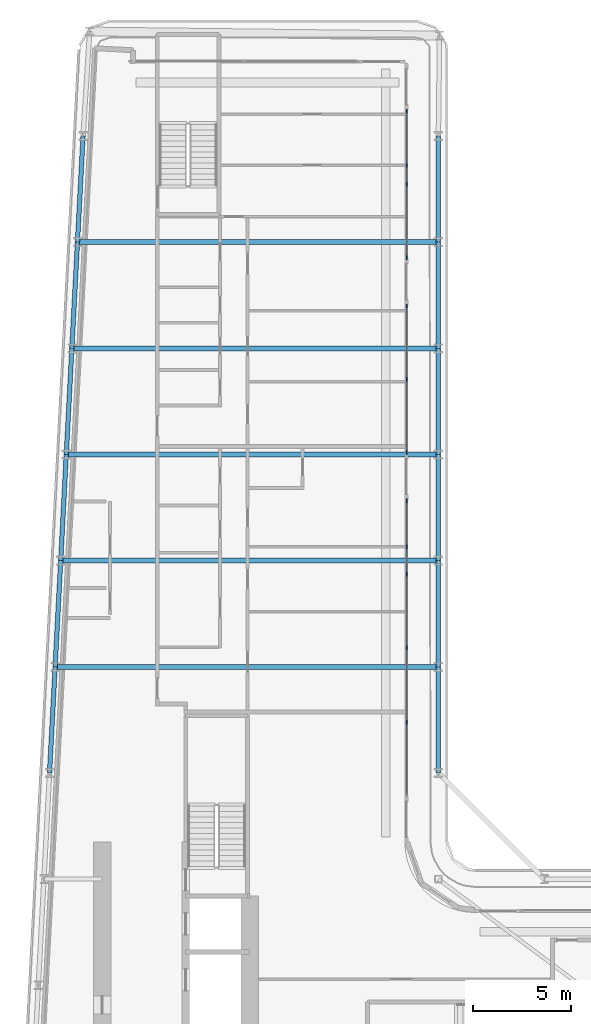
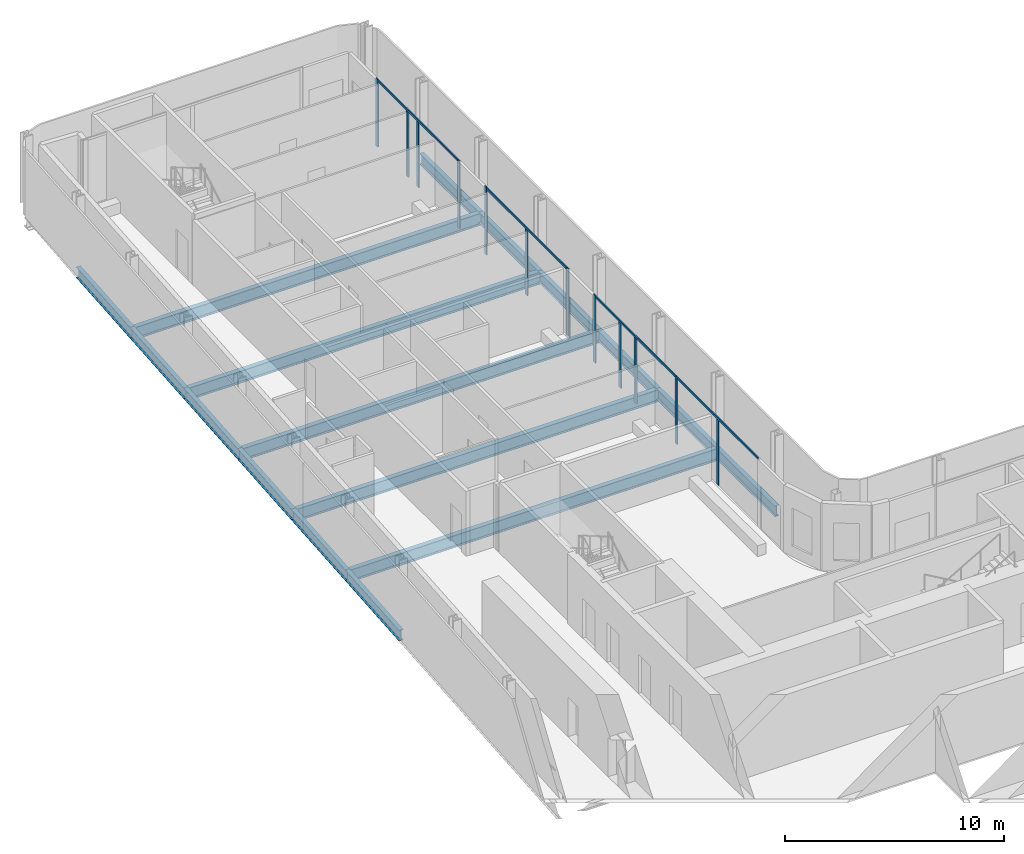
# One storey, part 7 of 27: 17 beams, 16 members, 4 elements without a shape of their own.
"""IFC4 building model written with IfcOpenShell, lengths in metres."""

from ifc_helpers import new_model, si_unit, direction, frame, origin, origin_2d, place, context, subcontext, project, spatial, rectangle, i_section, extrude, material, layer, layer_set, material_profile, profile_set, type_object, element, aggregate, save


model = new_model("IFC4")

# Units and contexts
model_context = context("Model", 3, precision=1e-05, world=origin(), true_north=direction((0.0, 1.0)))
body_context = subcontext(model_context, "Body", "Model", "MODEL_VIEW")
ifc_project = project(units=[si_unit("LENGTHUNIT", "METRE"), si_unit("AREAUNIT", "SQUARE_METRE"), si_unit("VOLUMEUNIT", "CUBIC_METRE"), si_unit("PLANEANGLEUNIT", "RADIAN"), si_unit("MASSUNIT", "GRAM", prefix="KILO")], contexts=[model_context])

# Site, building, storey
site_placement = place(None, origin())
site = spatial("IfcSite", under=ifc_project, at=site_placement, CompositionType="ELEMENT")
building_placement = place(site_placement, origin())
building = spatial("IfcBuilding", under=site, at=building_placement, Name="Kheshtan School and Residences Tower", CompositionType="ELEMENT")
storey_placement = place(building_placement, frame((0.0, 0.0, 101.89990234375)))
storey = spatial("IfcBuildingStorey", under=building, at=storey_placement, Name="L23", CompositionType="ELEMENT", Elevation=101.89990234375)

# Beams
ifc_material_1 = material(Name="Steel ASTM A992 Grade 50", Category="steel")
ifc_material_profile_1 = material_profile(ifc_material_1, i_section(OverallWidth=0.2529296875, OverallDepth=0.677978515625, WebThickness=0.01171875, FlangeThickness=0.016357421875, FilletRadius=0.0146484375, at=origin_2d()), Name="W690x125")
ifc_profile_set_1 = profile_set([ifc_material_profile_1], Name="Steel ASTM A992 Grade 50")
beam_type_1 = type_object("IfcBeamType", Name="Beam FB6 W690x125 ASTM A992 Grade 50", PredefinedType="BEAM", material=ifc_profile_set_1)
beam_1_placement = place(storey_placement, frame((47.60009765625, 72.60009765625, -0.489013671875), z_axis=(-1.0, 0.0, 0.0), x_axis=(0.0, -1.0, 0.0)))
element("IfcBeam", 1, at=beam_1_placement, inside=storey, type_object=beam_type_1, Name="Floor beam C087", PredefinedType="BEAM", context=body_context, shape_type="SweptSolid", body=[
    extrude(i_section(OverallWidth=0.2529296875, OverallDepth=0.677978515625, WebThickness=0.01171875, FlangeThickness=0.016357421875, FilletRadius=0.0146484375, at=origin_2d()), origin(), (0.0, 0.0, 1.0), 18.64208984375),
])
beam_2_placement = place(storey_placement, frame((47.60009765625, 61.800048828125, -0.489013671875), z_axis=(-1.0, 0.0, 0.0), x_axis=(0.0, -1.0, 0.0)))
element("IfcBeam", 2, at=beam_2_placement, inside=storey, type_object=beam_type_1, Name="Floor beam C083", PredefinedType="BEAM", context=body_context, shape_type="SweptSolid", body=[
    extrude(i_section(OverallWidth=0.2529296875, OverallDepth=0.677978515625, WebThickness=0.01171875, FlangeThickness=0.016357421875, FilletRadius=0.0146484375, at=origin_2d()), origin(), (0.0, 0.0, 1.0), 19.210205078125),
])
beam_3_placement = place(storey_placement, frame((28.10595703125, 56.39990234375, -0.489013671875), z_axis=(1.0, 0.0, 0.0), x_axis=(0.0, 1.0, 0.0)))
element("IfcBeam", 3, at=beam_3_placement, inside=storey, type_object=beam_type_1, Name="Floor beam C080", PredefinedType="BEAM", context=body_context, shape_type="SweptSolid", body=[
    extrude(i_section(OverallWidth=0.2529296875, OverallDepth=0.677978515625, WebThickness=0.01171875, FlangeThickness=0.016357421875, FilletRadius=0.0146484375, at=origin_2d()), origin(), (0.0, 0.0, 1.0), 19.494140625),
])
beam_4_placement = place(storey_placement, frame((28.674072265625, 67.199951171875, -0.489013671875), z_axis=(1.0, 0.0, 0.0), x_axis=(0.0, 1.0, 0.0)))
element("IfcBeam", 4, at=beam_4_placement, inside=storey, type_object=beam_type_1, Name="Floor beam C084", PredefinedType="BEAM", context=body_context, shape_type="SweptSolid", body=[
    extrude(i_section(OverallWidth=0.2529296875, OverallDepth=0.677978515625, WebThickness=0.01171875, FlangeThickness=0.016357421875, FilletRadius=0.0146484375, at=origin_2d()), origin(), (0.0, 0.0, 1.0), 18.926025390625),
])
beam_5_placement = place(storey_placement, frame((29.242919921875, 78.0, -0.489013671875), z_axis=(1.0, 0.0, 0.0), x_axis=(0.0, 1.0, 0.0)))
element("IfcBeam", 5, at=beam_5_placement, inside=storey, type_object=beam_type_1, Name="Floor beam C088", PredefinedType="BEAM", context=body_context, shape_type="SweptSolid", body=[
    extrude(i_section(OverallWidth=0.2529296875, OverallDepth=0.677978515625, WebThickness=0.01171875, FlangeThickness=0.016357421875, FilletRadius=0.0146484375, at=origin_2d()), origin(), (0.0, 0.0, 1.0), 18.357177734375),
])
ifc_material_profile_2 = material_profile(ifc_material_1, i_section(OverallWidth=0.22802734375, OverallDepth=0.60302734375, WebThickness=0.010498046875, FlangeThickness=0.014892578125, FilletRadius=0.013427734375, at=origin_2d()), Name="W610x101")
ifc_profile_set_2 = profile_set([ifc_material_profile_2], Name="Steel ASTM A992 Grade 50")
beam_type_2 = type_object("IfcBeamType", Name="Beam SP2 W610x101 ASTM A992 Grade 50", PredefinedType="BEAM", material=ifc_profile_set_2)
for number, where, z_axis, x_axis, name in (
    (6, (47.60009765625, 83.39990234375, -0.451416015625), (0.0, -1.0, 0.0), (1.0, 0.0, 0.0), "Spandrel beam C091-C089"),
    (7, (47.60009765625, 78.0, -0.451416015625), (0.0, -1.0, 0.0), (1.0, 0.0, 0.0), "Spandrel beam C089-C087"),
):
    element("IfcBeam", number, at=place(storey_placement, frame(where, z_axis=z_axis, x_axis=x_axis)), inside=storey, type_object=beam_type_2, Name=name, PredefinedType="BEAM", context=body_context, shape_type="SweptSolid", body=[
        extrude(i_section(OverallWidth=0.22802734375, OverallDepth=0.60302734375, WebThickness=0.010498046875, FlangeThickness=0.014892578125, FilletRadius=0.013427734375, at=origin_2d()), origin(), (0.0, 0.0, 1.0), 5.39990234375),
    ])
beam_6_placement = place(storey_placement, frame((47.60009765625, 72.60009765625, -0.451416015625), z_axis=(0.0, -1.0, 0.0), x_axis=(1.0, 0.0, 0.0)))
element("IfcBeam", 8, at=beam_6_placement, inside=storey, type_object=beam_type_2, Name="Spandrel beam C087-C085", PredefinedType="BEAM", context=body_context, shape_type="SweptSolid", body=[
    extrude(i_section(OverallWidth=0.22802734375, OverallDepth=0.60302734375, WebThickness=0.010498046875, FlangeThickness=0.014892578125, FilletRadius=0.013427734375, at=origin_2d()), origin(), (0.0, 0.0, 1.0), 5.400146484375),
])
beam_7_placement = place(storey_placement, frame((47.60009765625, 67.199951171875, -0.451416015625), z_axis=(0.0, -1.0, 0.0), x_axis=(1.0, 0.0, 0.0)))
element("IfcBeam", 9, at=beam_7_placement, inside=storey, type_object=beam_type_2, Name="Spandrel beam C085-C083", PredefinedType="BEAM", context=body_context, shape_type="SweptSolid", body=[
    extrude(i_section(OverallWidth=0.22802734375, OverallDepth=0.60302734375, WebThickness=0.010498046875, FlangeThickness=0.014892578125, FilletRadius=0.013427734375, at=origin_2d()), origin(), (0.0, 0.0, 1.0), 5.39990234375),
])
beam_8_placement = place(storey_placement, frame((47.60009765625, 61.800048828125, -0.451416015625), z_axis=(0.0, -1.0, 0.0), x_axis=(1.0, 0.0, 0.0)))
element("IfcBeam", 10, at=beam_8_placement, inside=storey, type_object=beam_type_2, Name="Spandrel beam C083-C081", PredefinedType="BEAM", context=body_context, shape_type="SweptSolid", body=[
    extrude(i_section(OverallWidth=0.22802734375, OverallDepth=0.60302734375, WebThickness=0.010498046875, FlangeThickness=0.014892578125, FilletRadius=0.013427734375, at=origin_2d()), origin(), (0.0, 0.0, 1.0), 5.400146484375),
])
beam_9_placement = place(storey_placement, frame((47.60009765625, 56.39990234375, -0.451416015625), z_axis=(0.0, -1.0, 0.0), x_axis=(1.0, 0.0, 0.0)))
element("IfcBeam", 11, at=beam_9_placement, inside=storey, type_object=beam_type_2, Name="Spandrel beam C081-C079", PredefinedType="BEAM", context=body_context, shape_type="SweptSolid", body=[
    extrude(i_section(OverallWidth=0.22802734375, OverallDepth=0.60302734375, WebThickness=0.010498046875, FlangeThickness=0.014892578125, FilletRadius=0.013427734375, at=origin_2d()), origin(), (0.0, 0.0, 1.0), 5.39990234375),
])
beam_10_placement = place(storey_placement, frame((27.822021484375, 51.0, -0.451416015625), z_axis=(0.05250906864, 0.998620447272, 0.0), x_axis=(-0.998620447272, 0.05250906864, 0.0)))
element("IfcBeam", 12, at=beam_10_placement, inside=storey, type_object=beam_type_2, Name="Spandrel beam C078-C080", PredefinedType="BEAM", context=body_context, shape_type="SweptSolid", body=[
    extrude(i_section(OverallWidth=0.22802734375, OverallDepth=0.60302734375, WebThickness=0.010498046875, FlangeThickness=0.014892578125, FilletRadius=0.013427734375, at=origin_2d()), origin(), (0.0, 0.0, 1.0), 5.407470703125),
])
beam_11_placement = place(storey_placement, frame((28.10595703125, 56.39990234375, -0.451416015625), z_axis=(0.05250670125, 0.998620571751, 0.0), x_axis=(-0.998620571751, 0.05250670125, 0.0)))
element("IfcBeam", 13, at=beam_11_placement, inside=storey, type_object=beam_type_2, Name="Spandrel beam C080-C082", PredefinedType="BEAM", context=body_context, shape_type="SweptSolid", body=[
    extrude(i_section(OverallWidth=0.22802734375, OverallDepth=0.60302734375, WebThickness=0.010498046875, FlangeThickness=0.014892578125, FilletRadius=0.013427734375, at=origin_2d()), origin(), (0.0, 0.0, 1.0), 5.40771484375),
])
beam_12_placement = place(storey_placement, frame((28.389892578125, 61.800048828125, -0.451416015625), z_axis=(0.052554093665, 0.998618078766, 0.0), x_axis=(-0.998618078766, 0.052554093665, 0.0)))
element("IfcBeam", 14, at=beam_12_placement, inside=storey, type_object=beam_type_2, Name="Spandrel beam C082-C084", PredefinedType="BEAM", context=body_context, shape_type="SweptSolid", body=[
    extrude(i_section(OverallWidth=0.22802734375, OverallDepth=0.60302734375, WebThickness=0.010498046875, FlangeThickness=0.014892578125, FilletRadius=0.013427734375, at=origin_2d()), origin(), (0.0, 0.0, 1.0), 5.407470703125),
])
beam_13_placement = place(storey_placement, frame((28.674072265625, 67.199951171875, -0.451416015625), z_axis=(0.05250670125, 0.998620571751, 0.0), x_axis=(-0.998620571751, 0.05250670125, 0.0)))
element("IfcBeam", 15, at=beam_13_placement, inside=storey, type_object=beam_type_2, Name="Spandrel beam C084-C086", PredefinedType="BEAM", context=body_context, shape_type="SweptSolid", body=[
    extrude(i_section(OverallWidth=0.22802734375, OverallDepth=0.60302734375, WebThickness=0.010498046875, FlangeThickness=0.014892578125, FilletRadius=0.013427734375, at=origin_2d()), origin(), (0.0, 0.0, 1.0), 5.40771484375),
])
for number, where, z_axis, x_axis, name in (
    (16, (28.9580078125, 72.60009765625, -0.451416015625), (0.052689166816, 0.998610961136, 0.0), (-0.998610961136, 0.052689166816, 0.0), "Spandrel beam C086-C088"),
    (17, (29.242919921875, 78.0, -0.451416015625), (0.052554093665, 0.998618078766, 0.0), (-0.998618078766, 0.052554093665, 0.0), "Spandrel beam C088-C090"),
):
    element("IfcBeam", number, at=place(storey_placement, frame(where, z_axis=z_axis, x_axis=x_axis)), inside=storey, type_object=beam_type_2, Name=name, PredefinedType="BEAM", context=body_context, shape_type="SweptSolid", body=[
        extrude(i_section(OverallWidth=0.22802734375, OverallDepth=0.60302734375, WebThickness=0.010498046875, FlangeThickness=0.014892578125, FilletRadius=0.013427734375, at=origin_2d()), origin(), (0.0, 0.0, 1.0), 5.407470703125),
    ])

# Curtain wall, members
ifc_material_2 = material(Name="Clear low-e glass in thermally broken aluminium frame", Category="aluminium")
ifc_layer = layer(ifc_material_2, 0.199951171875)
ifc_layer_set = layer_set([ifc_layer], Name="Curtain wall CW-L")
curtain_wall_type = type_object("IfcCurtainWallType", Name="Curtain wall CW-L", PredefinedType="NOTDEFINED", material=ifc_layer_set)
curtain_wall_1_placement = place(storey_placement, origin())
curtain_wall_1 = element("IfcCurtainWall", 18, at=curtain_wall_1_placement, inside=storey, type_object=curtain_wall_type, Name="Curtain wall CWL4", PredefinedType="NOTDEFINED")
ifc_material_3 = material(Name="Thermally broken aluminium, dark bronze anodised", Category="aluminium")
ifc_material_profile_3 = material_profile(ifc_material_3, rectangle(XDim=0.06005859375, YDim=0.199951171875, at=origin_2d()), Name="CW-L mullion 60x200")
ifc_profile_set_3 = profile_set([ifc_material_profile_3], Name="Thermally broken aluminium, dark bronze anodised")
member_type_1 = type_object("IfcMemberType", Name="CW-L mullion 60x200", PredefinedType="MULLION", material=ifc_profile_set_3)
member_1_placement = place(storey_placement, frame((46.0, 84.669921875, 0.0), z_axis=(0.0, 0.0, 1.0), x_axis=(1.0, 0.0, 0.0)))
member_1 = element("IfcMember", 19, at=member_1_placement, type_object=member_type_1, Name="CWL4 mullion 1", PredefinedType="MULLION", context=body_context, shape_type="SweptSolid", body=[
    extrude(rectangle(XDim=0.06005859375, YDim=0.199951171875, at=origin_2d()), origin(), (0.0, 0.0, 1.0), 3.75),
])
member_2_placement = place(storey_placement, frame((46.0, 81.89990234375, 0.0), z_axis=(0.0, 0.0, 1.0), x_axis=(1.0, 0.0, 0.0)))
member_2 = element("IfcMember", 20, at=member_2_placement, type_object=member_type_1, Name="CWL4 mullion 2", PredefinedType="MULLION", context=body_context, shape_type="SweptSolid", body=[
    extrude(rectangle(XDim=0.06005859375, YDim=0.199951171875, at=origin_2d()), origin(), (0.0, 0.0, 1.0), 3.630126953125),
])
member_3_placement = place(storey_placement, frame((46.0, 80.941162109375, 0.0), z_axis=(0.0, 0.0, 1.0), x_axis=(1.0, 0.0, 0.0)))
member_3 = element("IfcMember", 21, at=member_3_placement, type_object=member_type_1, Name="CWL4 mullion 3", PredefinedType="MULLION", context=body_context, shape_type="SweptSolid", body=[
    extrude(rectangle(XDim=0.06005859375, YDim=0.199951171875, at=origin_2d()), origin(), (0.0, 0.0, 1.0), 3.630126953125),
])
member_4_placement = place(storey_placement, frame((46.0, 77.21240234375, 0.0), z_axis=(0.0, 0.0, 1.0), x_axis=(1.0, 0.0, 0.0)))
member_4 = element("IfcMember", 22, at=member_4_placement, type_object=member_type_1, Name="CWL4 mullion 4", PredefinedType="MULLION", context=body_context, shape_type="SweptSolid", body=[
    extrude(rectangle(XDim=0.06005859375, YDim=0.199951171875, at=origin_2d()), origin(), (0.0, 0.0, 1.0), 3.75),
])

curtain_wall_2_placement = place(storey_placement, origin())
curtain_wall_2 = element("IfcCurtainWall", 23, at=curtain_wall_2_placement, inside=storey, type_object=curtain_wall_type, Name="Curtain wall CWL4a", PredefinedType="NOTDEFINED")
member_5_placement = place(storey_placement, frame((46.0, 74.75244140625, 0.0), z_axis=(0.0, 0.0, 1.0), x_axis=(1.0, 0.0, 0.0)))
member_5 = element("IfcMember", 24, at=member_5_placement, type_object=member_type_1, Name="CWL4a mullion 1", PredefinedType="MULLION", context=body_context, shape_type="SweptSolid", body=[
    extrude(rectangle(XDim=0.06005859375, YDim=0.199951171875, at=origin_2d()), origin(), (0.0, 0.0, 1.0), 3.75),
])
member_6_placement = place(storey_placement, frame((46.0, 71.023681640625, 0.0), z_axis=(0.0, 0.0, 1.0), x_axis=(1.0, 0.0, 0.0)))
member_6 = element("IfcMember", 25, at=member_6_placement, type_object=member_type_1, Name="CWL4a mullion 2", PredefinedType="MULLION", context=body_context, shape_type="SweptSolid", body=[
    extrude(rectangle(XDim=0.06005859375, YDim=0.199951171875, at=origin_2d()), origin(), (0.0, 0.0, 1.0), 3.630126953125),
])
member_7_placement = place(storey_placement, frame((46.0, 67.294921875, 0.0), z_axis=(0.0, 0.0, 1.0), x_axis=(1.0, 0.0, 0.0)))
member_7 = element("IfcMember", 26, at=member_7_placement, type_object=member_type_1, Name="CWL4a mullion 3", PredefinedType="MULLION", context=body_context, shape_type="SweptSolid", body=[
    extrude(rectangle(XDim=0.06005859375, YDim=0.199951171875, at=origin_2d()), origin(), (0.0, 0.0, 1.0), 3.75),
])

curtain_wall_3_placement = place(storey_placement, origin())
curtain_wall_3 = element("IfcCurtainWall", 27, at=curtain_wall_3_placement, inside=storey, type_object=curtain_wall_type, Name="Curtain wall CWL4", PredefinedType="NOTDEFINED")
member_8_placement = place(storey_placement, frame((46.0, 64.8349609375, 0.0), z_axis=(0.0, 0.0, 1.0), x_axis=(1.0, 0.0, 0.0)))
member_8 = element("IfcMember", 28, at=member_8_placement, type_object=member_type_1, Name="CWL4 mullion 1", PredefinedType="MULLION", context=body_context, shape_type="SweptSolid", body=[
    extrude(rectangle(XDim=0.06005859375, YDim=0.199951171875, at=origin_2d()), origin(), (0.0, 0.0, 1.0), 3.75),
])
member_9_placement = place(storey_placement, frame((46.0, 62.5, 0.0), z_axis=(0.0, 0.0, 1.0), x_axis=(1.0, 0.0, 0.0)))
member_9 = element("IfcMember", 29, at=member_9_placement, type_object=member_type_1, Name="CWL4 mullion 2", PredefinedType="MULLION", context=body_context, shape_type="SweptSolid", body=[
    extrude(rectangle(XDim=0.06005859375, YDim=0.199951171875, at=origin_2d()), origin(), (0.0, 0.0, 1.0), 3.630126953125),
])
member_10_placement = place(storey_placement, frame((46.0, 61.106201171875, 0.0), z_axis=(0.0, 0.0, 1.0), x_axis=(1.0, 0.0, 0.0)))
member_10 = element("IfcMember", 30, at=member_10_placement, type_object=member_type_1, Name="CWL4 mullion 3", PredefinedType="MULLION", context=body_context, shape_type="SweptSolid", body=[
    extrude(rectangle(XDim=0.06005859375, YDim=0.199951171875, at=origin_2d()), origin(), (0.0, 0.0, 1.0), 3.630126953125),
])
member_11_placement = place(storey_placement, frame((46.0, 57.37744140625, 0.0), z_axis=(0.0, 0.0, 1.0), x_axis=(1.0, 0.0, 0.0)))
member_11 = element("IfcMember", 31, at=member_11_placement, type_object=member_type_1, Name="CWL4 mullion 4", PredefinedType="MULLION", context=body_context, shape_type="SweptSolid", body=[
    extrude(rectangle(XDim=0.06005859375, YDim=0.199951171875, at=origin_2d()), origin(), (0.0, 0.0, 1.0), 3.75),
])

# Curtain wall, member
curtain_wall_4_placement = place(storey_placement, origin())
curtain_wall_4 = element("IfcCurtainWall", 32, at=curtain_wall_4_placement, inside=storey, type_object=curtain_wall_type, Name="Curtain wall CWL4a", PredefinedType="NOTDEFINED")
member_12_placement = place(storey_placement, frame((46.0, 53.5888671875, 0.0), z_axis=(0.0, 0.0, 1.0), x_axis=(1.0, 0.0, 0.0)))
member_12 = element("IfcMember", 33, at=member_12_placement, type_object=member_type_1, Name="CWL4a mullion 2", PredefinedType="MULLION", context=body_context, shape_type="SweptSolid", body=[
    extrude(rectangle(XDim=0.06005859375, YDim=0.199951171875, at=origin_2d()), origin(), (0.0, 0.0, 1.0), 3.630126953125),
])

# Member
ifc_material_profile_4 = material_profile(ifc_material_3, rectangle(XDim=0.06005859375, YDim=0.1201171875, at=origin_2d()), Name="CW-L transom 60x120")
ifc_profile_set_4 = profile_set([ifc_material_profile_4], Name="Thermally broken aluminium, dark bronze anodised")
member_type_2 = type_object("IfcMemberType", Name="CW-L transom 60x120", PredefinedType="USERDEFINED", material=ifc_profile_set_4)
member_13_placement = place(storey_placement, frame((46.0, 84.639892578125, 3.690185546875), z_axis=(0.0, -1.0, 0.0), x_axis=(1.0, 0.0, 0.0)))
member_13 = element("IfcMember", 34, at=member_13_placement, type_object=member_type_2, Name="CWL4 transom 1", ObjectType="TRANSOM", PredefinedType="USERDEFINED", context=body_context, shape_type="SweptSolid", body=[
    extrude(rectangle(XDim=0.06005859375, YDim=0.1201171875, at=origin_2d()), origin(), (0.0, 0.0, 1.0), 7.3974609375),
])

aggregate(curtain_wall_1, [member_1, member_2, member_3, member_4, member_13])

member_14_placement = place(storey_placement, frame((46.0, 74.722412109375, 3.690185546875), z_axis=(0.0, -1.0, 0.0), x_axis=(1.0, 0.0, 0.0)))
member_14 = element("IfcMember", 35, at=member_14_placement, type_object=member_type_2, Name="CWL4a transom 1", ObjectType="TRANSOM", PredefinedType="USERDEFINED", context=body_context, shape_type="SweptSolid", body=[
    extrude(rectangle(XDim=0.06005859375, YDim=0.1201171875, at=origin_2d()), origin(), (0.0, 0.0, 1.0), 7.3974609375),
])

aggregate(curtain_wall_2, [member_5, member_6, member_7, member_14])

member_15_placement = place(storey_placement, frame((46.0, 64.804931640625, 3.690185546875), z_axis=(0.0, -1.0, 0.0), x_axis=(1.0, 0.0, 0.0)))
member_15 = element("IfcMember", 36, at=member_15_placement, type_object=member_type_2, Name="CWL4 transom 1", ObjectType="TRANSOM", PredefinedType="USERDEFINED", context=body_context, shape_type="SweptSolid", body=[
    extrude(rectangle(XDim=0.06005859375, YDim=0.1201171875, at=origin_2d()), origin(), (0.0, 0.0, 1.0), 7.3974609375),
])

aggregate(curtain_wall_3, [member_8, member_9, member_10, member_11, member_15])

member_16_placement = place(storey_placement, frame((46.0, 57.347412109375, 3.690185546875), z_axis=(0.0, -1.0, 0.0), x_axis=(1.0, 0.0, 0.0)))
member_16 = element("IfcMember", 37, at=member_16_placement, type_object=member_type_2, Name="CWL4a transom 1", ObjectType="TRANSOM", PredefinedType="USERDEFINED", context=body_context, shape_type="SweptSolid", body=[
    extrude(rectangle(XDim=0.06005859375, YDim=0.1201171875, at=origin_2d()), origin(), (0.0, 0.0, 1.0), 7.45751953125),
])

aggregate(curtain_wall_4, [member_12, member_16])

save(model, "model.ifc")
